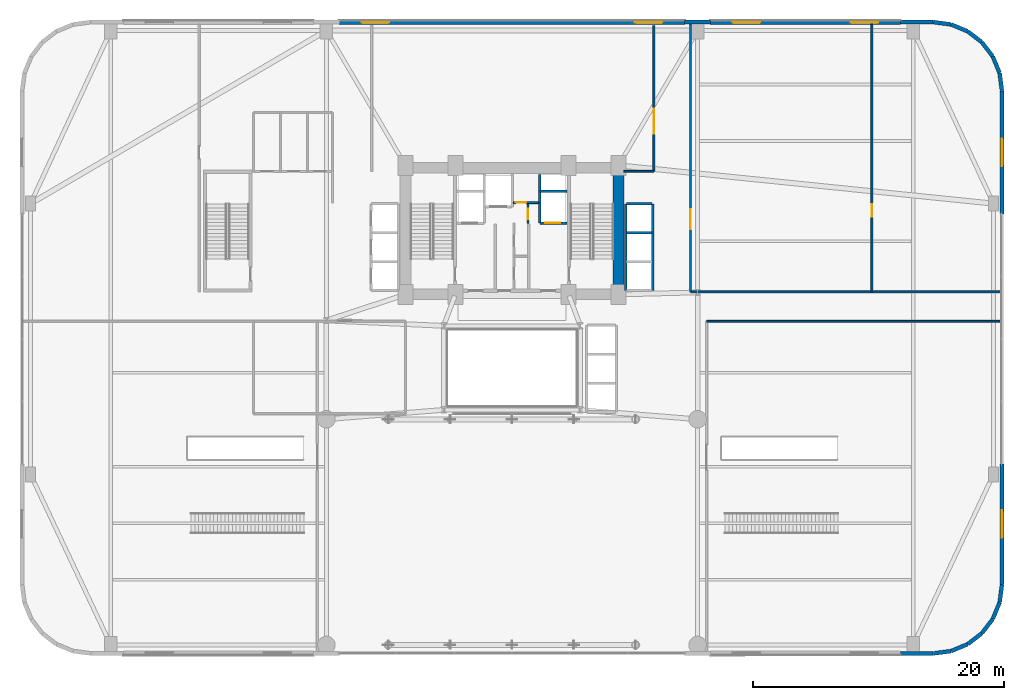
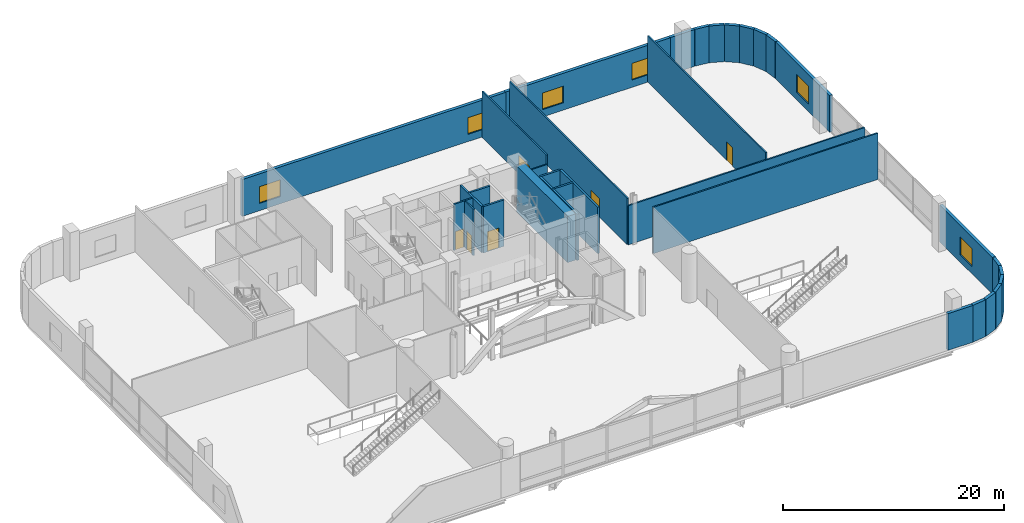
# One storey, part 28 of 36: 35 walls, 6 doors, 6 windows, 12 openings.
"""IFC4 building model written with IfcOpenShell, lengths in metres."""

from ifc_helpers import new_model, si_unit, direction, frame, frame_2d, origin, place, context, subcontext, project, spatial, rectangle, extrude, material, layer, layer_set, type_object, element, fill, save


model = new_model("IFC4")

# Units and contexts
model_context = context("Model", 3, precision=1e-05, world=origin(), true_north=direction((0.0, 1.0)))
body_context = subcontext(model_context, "Body", "Model", "MODEL_VIEW")
ifc_project = project(units=[si_unit("LENGTHUNIT", "METRE"), si_unit("AREAUNIT", "SQUARE_METRE"), si_unit("VOLUMEUNIT", "CUBIC_METRE"), si_unit("PLANEANGLEUNIT", "RADIAN"), si_unit("MASSUNIT", "GRAM", prefix="KILO")], contexts=[model_context])

# Site, building, storey
site_placement = place(None, origin())
site = spatial("IfcSite", under=ifc_project, at=site_placement, CompositionType="ELEMENT")
building_placement = place(site_placement, origin())
building = spatial("IfcBuilding", under=site, at=building_placement, Name="Varnelok Gate Tower", CompositionType="ELEMENT")
storey_placement = place(building_placement, frame((0.0, 0.0, 10.800048828125)))
storey = spatial("IfcBuildingStorey", under=building, at=storey_placement, Name="L02", CompositionType="ELEMENT", Elevation=10.800048828125)

# Wall, openings, windows
ifc_material_1 = material(Name="Concrete C45/55", Category="concrete")
ifc_layer_1 = layer(ifc_material_1, 0.320068359375)
ifc_layer_set_1 = layer_set([ifc_layer_1], Name="Concrete C45/55")
wall_type_1 = type_object("IfcWallType", Name="EW-POD-320", PredefinedType="SOLIDWALL", material=ifc_layer_set_1)
wall_1_placement = place(storey_placement, frame((25.39990234375, 50.43994140625, 0.0), z_axis=(0.0, 0.0, 1.0), x_axis=(1.0, 0.0, 0.0)))
wall_1 = element("IfcWall", 1, at=wall_1_placement, inside=storey, type_object=wall_type_1, Name="L02 North Podium Wall 2", PredefinedType="SOLIDWALL", context=body_context, shape_type="SweptSolid", body=[
    extrude(rectangle(XDim=27.60009765625, YDim=0.320068359375, at=frame_2d((13.800048828125, 0.0))), origin(), (0.0, 0.0, 1.0), 4.070068359375),
])
opening_1_placement = place(wall_1_placement, frame((1.800048828125, 0.0, 0.800048828125)))
opening_1 = element("IfcOpeningElement", 2, at=opening_1_placement, cuts=wall_1, Name="Opening WN2", PredefinedType="OPENING", context=body_context, shape_type="SweptSolid", body=[
    extrude(rectangle(XDim=2.199951171875, YDim=1.85009765625, at=frame_2d((1.10009765625, 0.925048828125))), frame((0.0, 0.169921875, 0.0), z_axis=(0.0, -1.0, 0.0), x_axis=(1.0, 0.0, 0.0)), (0.0, 0.0, 1.0), 0.340087890625),
])
opening_2_placement = place(wall_1_placement, frame((23.60009765625, 0.0, 0.800048828125)))
opening_2 = element("IfcOpeningElement", 3, at=opening_2_placement, cuts=wall_1, Name="Opening WN2", PredefinedType="OPENING", context=body_context, shape_type="SweptSolid", body=[
    extrude(rectangle(XDim=2.199951171875, YDim=1.85009765625, at=frame_2d((1.10009765625, 0.925048828125))), frame((0.0, 0.169921875, 0.0), z_axis=(0.0, -1.0, 0.0), x_axis=(1.0, 0.0, 0.0)), (0.0, 0.0, 1.0), 0.340087890625),
])
ifc_material_2 = material(Name="Low-E Laminated Double Glazing IGU", Category="glass")
window_type_1 = type_object("IfcWindowType", Name="WN-POD-2200", PartitioningType="SINGLE_PANEL", PredefinedType="WINDOW", material=ifc_material_2)
window_1_placement = place(opening_1_placement, origin())
window_1 = element("IfcWindow", 4, at=window_1_placement, inside=storey, type_object=window_type_1, Name="L02 Podium Window N2.1", OverallHeight=1.85009765625, OverallWidth=2.199951171875, PartitioningType="SINGLE_PANEL", PredefinedType="WINDOW", context=body_context, shape_type="SweptSolid", body=[
    extrude(rectangle(XDim=2.199951171875, YDim=1.85009765625, at=frame_2d((1.10009765625, 0.925048828125))), frame((0.0, 0.030029296875, 0.0), z_axis=(0.0, -1.0, 0.0), x_axis=(1.0, 0.0, 0.0)), (0.0, 0.0, 1.0), 0.06005859375),
])
fill(opening_1, window_1)
window_2_placement = place(opening_2_placement, origin())
window_2 = element("IfcWindow", 5, at=window_2_placement, inside=storey, type_object=window_type_1, Name="L02 Podium Window N2.2", OverallHeight=1.85009765625, OverallWidth=2.199951171875, PartitioningType="SINGLE_PANEL", PredefinedType="WINDOW", context=body_context, shape_type="SweptSolid", body=[
    extrude(rectangle(XDim=2.199951171875, YDim=1.85009765625, at=frame_2d((1.10009765625, 0.925048828125))), frame((0.0, 0.030029296875, 0.0), z_axis=(0.0, -1.0, 0.0), x_axis=(1.0, 0.0, 0.0)), (0.0, 0.0, 1.0), 0.06005859375),
])
fill(opening_2, window_2)

wall_2_placement = place(storey_placement, frame((55.0, 50.43994140625, 0.0), z_axis=(0.0, 0.0, 1.0), x_axis=(1.0, 0.0, 0.0)))
wall_2 = element("IfcWall", 6, at=wall_2_placement, inside=storey, type_object=wall_type_1, Name="L02 North Podium Wall 3", PredefinedType="SOLIDWALL", context=body_context, shape_type="SweptSolid", body=[
    extrude(rectangle(XDim=15.199951171875, YDim=0.320068359375, at=frame_2d((7.60009765625, 0.0))), origin(), (0.0, 0.0, 1.0), 4.070068359375),
])
opening_3_placement = place(wall_2_placement, frame((1.800048828125, 0.0, 0.800048828125)))
opening_3 = element("IfcOpeningElement", 7, at=opening_3_placement, cuts=wall_2, Name="Opening WN2", PredefinedType="OPENING", context=body_context, shape_type="SweptSolid", body=[
    extrude(rectangle(XDim=2.199951171875, YDim=1.85009765625, at=frame_2d((1.10009765625, 0.925048828125))), frame((0.0, 0.169921875, 0.0), z_axis=(0.0, -1.0, 0.0), x_axis=(1.0, 0.0, 0.0)), (0.0, 0.0, 1.0), 0.340087890625),
])
opening_4_placement = place(wall_2_placement, frame((11.199951171875, 0.0, 0.800048828125)))
opening_4 = element("IfcOpeningElement", 8, at=opening_4_placement, cuts=wall_2, Name="Opening WN2", PredefinedType="OPENING", context=body_context, shape_type="SweptSolid", body=[
    extrude(rectangle(XDim=2.199951171875, YDim=1.85009765625, at=frame_2d((1.10009765625, 0.925048828125))), frame((0.0, 0.169921875, 0.0), z_axis=(0.0, -1.0, 0.0), x_axis=(1.0, 0.0, 0.0)), (0.0, 0.0, 1.0), 0.340087890625),
])
window_3_placement = place(opening_3_placement, origin())
window_3 = element("IfcWindow", 9, at=window_3_placement, inside=storey, type_object=window_type_1, Name="L02 Podium Window N3.1", OverallHeight=1.85009765625, OverallWidth=2.199951171875, PartitioningType="SINGLE_PANEL", PredefinedType="WINDOW", context=body_context, shape_type="SweptSolid", body=[
    extrude(rectangle(XDim=2.199951171875, YDim=1.85009765625, at=frame_2d((1.10009765625, 0.925048828125))), frame((0.0, 0.030029296875, 0.0), z_axis=(0.0, -1.0, 0.0), x_axis=(1.0, 0.0, 0.0)), (0.0, 0.0, 1.0), 0.06005859375),
])
fill(opening_3, window_3)
window_4_placement = place(opening_4_placement, origin())
window_4 = element("IfcWindow", 10, at=window_4_placement, inside=storey, type_object=window_type_1, Name="L02 Podium Window N3.2", OverallHeight=1.85009765625, OverallWidth=2.199951171875, PartitioningType="SINGLE_PANEL", PredefinedType="WINDOW", context=body_context, shape_type="SweptSolid", body=[
    extrude(rectangle(XDim=2.199951171875, YDim=1.85009765625, at=frame_2d((1.10009765625, 0.925048828125))), frame((0.0, 0.030029296875, 0.0), z_axis=(0.0, -1.0, 0.0), x_axis=(1.0, 0.0, 0.0)), (0.0, 0.0, 1.0), 0.06005859375),
])
fill(opening_4, window_4)

# Walls
wall_3_placement = place(storey_placement, frame((70.169921875, 0.1201171875, 0.0), z_axis=(0.0, 0.0, 1.0), x_axis=(1.0, 0.0, 0.0)))
element("IfcWall", 11, at=wall_3_placement, inside=storey, type_object=wall_type_1, Name="L02 Perimeter Facade Closure Wall 10", PredefinedType="SOLIDWALL", context=body_context, shape_type="SweptSolid", body=[
    extrude(rectangle(XDim=2.6220703125, YDim=0.320068359375, at=frame_2d((1.31103515625, 0.0))), origin(), (0.0, 0.0, 1.0), 4.070068359375),
])
wall_4_placement = place(storey_placement, frame((72.81689453125, 0.123291015625, 0.0), z_axis=(0.0, 0.0, 1.0), x_axis=(0.991457235349, 0.130432168094, 0.0)))
element("IfcWall", 12, at=wall_4_placement, inside=storey, type_object=wall_type_1, Name="L02 Perimeter Facade Closure Wall 11", PredefinedType="SOLIDWALL", context=body_context, shape_type="SweptSolid", body=[
    extrude(rectangle(XDim=1.4130859375, YDim=0.320068359375, at=frame_2d((0.70654296875, 0.0))), origin(), (0.0, 0.0, 1.0), 4.070068359375),
])
for number, where, z_axis, x_axis, name in (
    (13, (74.2412109375, 0.3173828125, 0.0), (0.0, 0.0, 1.0), (0.923927911071, 0.382566615302, 0.0), "L02 Perimeter Facade Closure Wall 12"),
    (14, (75.559326171875, 0.870361328125, 0.0), (0.0, 0.0, 1.0), (0.79338541907, 0.60871962085, 0.0), "L02 Perimeter Facade Closure Wall 13"),
    (15, (76.689453125, 1.74560546875, 0.0), (0.0, 0.0, 1.0), (0.60871962085, 0.79338541907, 0.0), "L02 Perimeter Facade Closure Wall 14"),
    (16, (77.554443359375, 2.883544921875, 0.0), (0.0, 0.0, 1.0), (0.382714908977, 0.923866493844, 0.0), "L02 Perimeter Facade Closure Wall 15"),
):
    element("IfcWall", number, at=place(storey_placement, frame(where, z_axis=z_axis, x_axis=x_axis)), inside=storey, type_object=wall_type_1, Name=name, PredefinedType="SOLIDWALL", context=body_context, shape_type="SweptSolid", body=[
        extrude(rectangle(XDim=1.4052734375, YDim=0.320068359375, at=frame_2d((0.70263671875, 0.0))), origin(), (0.0, 0.0, 1.0), 4.070068359375),
    ])
wall_5_placement = place(storey_placement, frame((78.095703125, 4.206787109375, 0.0), z_axis=(0.0, 0.0, 1.0), x_axis=(0.130432168094, 0.991457235349, 0.0)))
element("IfcWall", 17, at=wall_5_placement, inside=storey, type_object=wall_type_1, Name="L02 Perimeter Facade Closure Wall 16", PredefinedType="SOLIDWALL", context=body_context, shape_type="SweptSolid", body=[
    extrude(rectangle(XDim=1.4130859375, YDim=0.320068359375, at=frame_2d((0.70654296875, 0.0))), origin(), (0.0, 0.0, 1.0), 4.070068359375),
])

# Wall, opening, window
wall_6_placement = place(storey_placement, frame((78.280029296875, 5.6328125, 0.0), z_axis=(0.0, 0.0, 1.0), x_axis=(0.0, 1.0, 0.0)))
wall_6 = element("IfcWall", 18, at=wall_6_placement, inside=storey, type_object=wall_type_1, Name="L02 Perimeter Facade Closure Wall 17", PredefinedType="SOLIDWALL", context=body_context, shape_type="SweptSolid", body=[
    extrude(rectangle(XDim=9.59716796875, YDim=0.320068359375, at=frame_2d((4.798583984375, 0.0))), origin(), (0.0, 0.0, 1.0), 4.070068359375),
])
opening_5_placement = place(wall_6_placement, frame((3.698486328125, 0.0, 0.800048828125)))
opening_5 = element("IfcOpeningElement", 19, at=opening_5_placement, cuts=wall_6, Name="Opening WN2A", PredefinedType="OPENING", context=body_context, shape_type="SweptSolid", body=[
    extrude(rectangle(XDim=2.199951171875, YDim=2.0, at=frame_2d((1.10009765625, 1.0))), frame((0.0, 0.169921875, 0.0), z_axis=(0.0, -1.0, 0.0), x_axis=(1.0, 0.0, 0.0)), (0.0, 0.0, 1.0), 0.340087890625),
])
window_type_2 = type_object("IfcWindowType", Name="WN-POD-2200X2000", PartitioningType="SINGLE_PANEL", PredefinedType="WINDOW", material=ifc_material_2)
window_5_placement = place(opening_5_placement, origin())
window_5 = element("IfcWindow", 20, at=window_5_placement, inside=storey, type_object=window_type_2, Name="L02 Perimeter Vision Window 17", OverallHeight=2.0, OverallWidth=2.199951171875, PartitioningType="SINGLE_PANEL", PredefinedType="WINDOW", context=body_context, shape_type="SweptSolid", body=[
    extrude(rectangle(XDim=2.199951171875, YDim=2.0, at=frame_2d((1.10009765625, 1.0))), frame((0.0, 0.030029296875, 0.0), z_axis=(0.0, -1.0, 0.0), x_axis=(1.0, 0.0, 0.0)), (0.0, 0.0, 1.0), 0.06005859375),
])
fill(opening_5, window_5)

wall_7_placement = place(storey_placement, frame((78.280029296875, 35.169921875, 0.0), z_axis=(0.0, 0.0, 1.0), x_axis=(0.0, 1.0, 0.0)))
wall_7 = element("IfcWall", 21, at=wall_7_placement, inside=storey, type_object=wall_type_1, Name="L02 Perimeter Facade Closure Wall 18", PredefinedType="SOLIDWALL", context=body_context, shape_type="SweptSolid", body=[
    extrude(rectangle(XDim=9.822265625, YDim=0.320068359375, at=frame_2d((4.9111328125, 0.0))), origin(), (0.0, 0.0, 1.0), 4.070068359375),
])
opening_6_placement = place(wall_7_placement, frame((3.81103515625, 0.0, 0.800048828125)))
opening_6 = element("IfcOpeningElement", 22, at=opening_6_placement, cuts=wall_7, Name="Opening WN2A", PredefinedType="OPENING", context=body_context, shape_type="SweptSolid", body=[
    extrude(rectangle(XDim=2.199951171875, YDim=2.0, at=frame_2d((1.10009765625, 1.0))), frame((0.0, 0.169921875, 0.0), z_axis=(0.0, -1.0, 0.0), x_axis=(1.0, 0.0, 0.0)), (0.0, 0.0, 1.0), 0.340087890625),
])
window_6_placement = place(opening_6_placement, origin())
window_6 = element("IfcWindow", 23, at=window_6_placement, inside=storey, type_object=window_type_2, Name="L02 Perimeter Vision Window 18", OverallHeight=2.0, OverallWidth=2.199951171875, PartitioningType="SINGLE_PANEL", PredefinedType="WINDOW", context=body_context, shape_type="SweptSolid", body=[
    extrude(rectangle(XDim=2.199951171875, YDim=2.0, at=frame_2d((1.10009765625, 1.0))), frame((0.0, 0.030029296875, 0.0), z_axis=(0.0, -1.0, 0.0), x_axis=(1.0, 0.0, 0.0)), (0.0, 0.0, 1.0), 0.06005859375),
])
fill(opening_6, window_6)

# Walls
wall_8_placement = place(storey_placement, frame((78.276611328125, 45.016845703125, 0.0), z_axis=(0.0, 0.0, 1.0), x_axis=(-0.130409831203, 0.991460173646, 0.0)))
element("IfcWall", 24, at=wall_8_placement, inside=storey, type_object=wall_type_1, Name="L02 Perimeter Facade Closure Wall 19", PredefinedType="SOLIDWALL", context=body_context, shape_type="SweptSolid", body=[
    extrude(rectangle(XDim=1.413330078125, YDim=0.320068359375, at=frame_2d((0.70654296875, 0.0))), origin(), (0.0, 0.0, 1.0), 4.070068359375),
])
for number, where, z_axis, x_axis, name in (
    (25, (78.082763671875, 46.441162109375, 0.0), (0.0, 0.0, 1.0), (-0.382714908977, 0.923866493844, 0.0), "L02 Perimeter Facade Closure Wall 20"),
    (26, (77.52978515625, 47.75927734375, 0.0), (0.0, 0.0, 1.0), (-0.60871962085, 0.79338541907, 0.0), "L02 Perimeter Facade Closure Wall 21"),
    (27, (76.654296875, 48.889404296875, 0.0), (0.0, 0.0, 1.0), (-0.793321035123, 0.608803527611, 0.0), "L02 Perimeter Facade Closure Wall 22"),
    (28, (75.516357421875, 49.75439453125, 0.0), (0.0, 0.0, 1.0), (-0.923866493844, 0.382714908977, 0.0), "L02 Perimeter Facade Closure Wall 23"),
):
    element("IfcWall", number, at=place(storey_placement, frame(where, z_axis=z_axis, x_axis=x_axis)), inside=storey, type_object=wall_type_1, Name=name, PredefinedType="SOLIDWALL", context=body_context, shape_type="SweptSolid", body=[
        extrude(rectangle(XDim=1.4052734375, YDim=0.320068359375, at=frame_2d((0.70263671875, 0.0))), origin(), (0.0, 0.0, 1.0), 4.070068359375),
    ])
wall_9_placement = place(storey_placement, frame((74.193359375, 50.295654296875, 0.0), z_axis=(0.0, 0.0, 1.0), x_axis=(-0.991460173646, 0.130409831203, 0.0)))
element("IfcWall", 29, at=wall_9_placement, inside=storey, type_object=wall_type_1, Name="L02 Perimeter Facade Closure Wall 24", PredefinedType="SOLIDWALL", context=body_context, shape_type="SweptSolid", body=[
    extrude(rectangle(XDim=1.413330078125, YDim=0.320068359375, at=frame_2d((0.70654296875, 0.0))), origin(), (0.0, 0.0, 1.0), 4.070068359375),
])
wall_10_placement = place(storey_placement, frame((72.76708984375, 50.47998046875, 0.0), z_axis=(0.0, 0.0, 1.0), x_axis=(-1.0, 0.0, 0.0)))
element("IfcWall", 30, at=wall_10_placement, inside=storey, type_object=wall_type_1, Name="L02 Perimeter Facade Closure Wall 25", PredefinedType="SOLIDWALL", context=body_context, shape_type="SweptSolid", body=[
    extrude(rectangle(XDim=2.59716796875, YDim=0.320068359375, at=frame_2d((1.298583984375, 0.0))), origin(), (0.0, 0.0, 1.0), 4.070068359375),
])
wall_11_placement = place(storey_placement, frame((55.030029296875, 50.47998046875, 0.0), z_axis=(0.0, 0.0, 1.0), x_axis=(-1.0, 0.0, 0.0)))
element("IfcWall", 31, at=wall_11_placement, inside=storey, type_object=wall_type_1, Name="L02 Perimeter Facade Closure Wall 26", PredefinedType="SOLIDWALL", context=body_context, shape_type="SweptSolid", body=[
    extrude(rectangle(XDim=2.06005859375, YDim=0.320068359375, at=frame_2d((1.030029296875, 0.0))), origin(), (0.0, 0.0, 1.0), 4.070068359375),
])
ifc_material_3 = material(Name="Gypsum Plasterboard Acoustic Partition", Category="gypsum")
ifc_layer_2 = layer(ifc_material_3, 0.14990234375)
ifc_layer_set_2 = layer_set([ifc_layer_2], Name="Gypsum Plasterboard Acoustic Partition")
wall_type_2 = type_object("IfcWallType", Name="PW-PART-150", PredefinedType="PARTITIONING", material=ifc_layer_set_2)
wall_12_placement = place(storey_placement, frame((48.1201171875, 38.580078125, 0.0), z_axis=(0.0, 0.0, 1.0), x_axis=(1.0, 0.0, 0.0)))
element("IfcWall", 32, at=wall_12_placement, inside=storey, type_object=wall_type_2, Name="Interior Partition", PredefinedType="PARTITIONING", context=body_context, shape_type="SweptSolid", body=[
    extrude(rectangle(XDim=2.39990234375, YDim=0.14990234375, at=frame_2d((1.199951171875, 0.0))), origin(), (0.0, 0.0, 1.0), 4.0849609375),
])

# Wall, opening, door
wall_13_placement = place(storey_placement, frame((50.52001953125, 38.580078125, 0.0), z_axis=(0.0, 0.0, 1.0), x_axis=(0.0, 1.0, 0.0)))
wall_13 = element("IfcWall", 33, at=wall_13_placement, inside=storey, type_object=wall_type_2, Name="Interior Partition", PredefinedType="PARTITIONING", context=body_context, shape_type="SweptSolid", body=[
    extrude(rectangle(XDim=11.619873046875, YDim=0.14990234375, at=frame_2d((5.81005859375, 0.0))), origin(), (0.0, 0.0, 1.0), 5.119873046875),
])
opening_7_placement = place(wall_13_placement, frame((3.0, 0.0, 0.0)))
opening_7 = element("IfcOpeningElement", 34, at=opening_7_placement, cuts=wall_13, Name="Opening D-BL", PredefinedType="OPENING", context=body_context, shape_type="SweptSolid", body=[
    extrude(rectangle(XDim=2.0, YDim=2.050048828125, at=frame_2d((1.0, 1.02490234375))), frame((0.0, 0.0849609375, 0.0), z_axis=(0.0, -1.0, 0.0), x_axis=(1.0, 0.0, 0.0)), (0.0, 0.0, 1.0), 0.169921875),
])
ifc_material_4 = material(Name="Engineered Hardwood Timber", Category="wood")
door_type_1 = type_object("IfcDoorType", Name="DR-BALL-2000", OperationType="DOUBLE_DOOR_SINGLE_SWING", PredefinedType="DOOR", material=ifc_material_4)
door_1_placement = place(opening_7_placement, origin())
door_1 = element("IfcDoor", 35, at=door_1_placement, inside=storey, type_object=door_type_1, Name="L02 North Exhibition Portal", OperationType="DOUBLE_DOOR_SINGLE_SWING", OverallHeight=2.050048828125, OverallWidth=2.0, PredefinedType="DOOR", context=body_context, shape_type="SweptSolid", body=[
    extrude(rectangle(XDim=2.0, YDim=2.050048828125, at=frame_2d((1.0, 1.02490234375))), frame((0.0, 0.02490234375, 0.0), z_axis=(0.0, -1.0, 0.0), x_axis=(1.0, 0.0, 0.0)), (0.0, 0.0, 1.0), 0.050048828125),
])
fill(opening_7, door_1)

# Wall
wall_14_placement = place(storey_placement, frame((54.719970703125, 26.6201171875, 0.0), z_axis=(0.0, 0.0, 1.0), x_axis=(1.0, 0.0, 0.0)))
element("IfcWall", 36, at=wall_14_placement, inside=storey, type_object=wall_type_2, Name="Interior Partition", PredefinedType="PARTITIONING", context=body_context, shape_type="SweptSolid", body=[
    extrude(rectangle(XDim=23.47998046875, YDim=0.14990234375, at=frame_2d((11.739990234375, 0.0))), origin(), (0.0, 0.0, 1.0), 5.119873046875),
])

# Wall, opening, door
wall_15_placement = place(storey_placement, frame((53.43994140625, 28.9599609375, 0.0), z_axis=(0.0, 0.0, 1.0), x_axis=(0.0, 1.0, 0.0)))
wall_15 = element("IfcWall", 37, at=wall_15_placement, inside=storey, type_object=wall_type_2, Name="Interior Partition", PredefinedType="PARTITIONING", context=body_context, shape_type="SweptSolid", body=[
    extrude(rectangle(XDim=21.340087890625, YDim=0.14990234375, at=frame_2d((10.669921875, 0.0))), origin(), (0.0, 0.0, 1.0), 5.119873046875),
])
opening_8_placement = place(wall_15_placement, frame((5.0, 0.0, 0.0)))
opening_8 = element("IfcOpeningElement", 38, at=opening_8_placement, cuts=wall_15, Name="Opening D-PL", PredefinedType="OPENING", context=body_context, shape_type="SweptSolid", body=[
    extrude(rectangle(XDim=1.60009765625, YDim=2.050048828125, at=frame_2d((0.800048828125, 1.02490234375))), frame((0.0, 0.0849609375, 0.0), z_axis=(0.0, -1.0, 0.0), x_axis=(1.0, 0.0, 0.0)), (0.0, 0.0, 1.0), 0.169921875),
])
ifc_material_5 = material(Name="Galvanized Steel Grade S350GD", Category="steel")
door_type_2 = type_object("IfcDoorType", Name="DR-PLANT-1600", OperationType="DOUBLE_DOOR_SINGLE_SWING", PredefinedType="DOOR", material=ifc_material_5)
door_2_placement = place(opening_8_placement, origin())
door_2 = element("IfcDoor", 39, at=door_2_placement, inside=storey, type_object=door_type_2, Name="L02 Restaurant Kitchen Door", OperationType="DOUBLE_DOOR_SINGLE_SWING", OverallHeight=2.050048828125, OverallWidth=1.60009765625, PredefinedType="DOOR", context=body_context, shape_type="SweptSolid", body=[
    extrude(rectangle(XDim=1.60009765625, YDim=2.050048828125, at=frame_2d((0.800048828125, 1.02490234375))), frame((0.0, 0.02490234375, 0.0), z_axis=(0.0, -1.0, 0.0), x_axis=(1.0, 0.0, 0.0)), (0.0, 0.0, 1.0), 0.050048828125),
])
fill(opening_8, door_2)

wall_16_placement = place(storey_placement, frame((67.89990234375, 28.9599609375, 0.0), z_axis=(0.0, 0.0, 1.0), x_axis=(0.0, 1.0, 0.0)))
wall_16 = element("IfcWall", 40, at=wall_16_placement, inside=storey, type_object=wall_type_2, Name="Interior Partition", PredefinedType="PARTITIONING", context=body_context, shape_type="SweptSolid", body=[
    extrude(rectangle(XDim=21.340087890625, YDim=0.14990234375, at=frame_2d((10.669921875, 0.0))), origin(), (0.0, 0.0, 1.0), 5.119873046875),
])
opening_9_placement = place(wall_16_placement, frame((6.0, 0.0, 0.0)))
opening_9 = element("IfcOpeningElement", 41, at=opening_9_placement, cuts=wall_16, Name="Opening D-I1", PredefinedType="OPENING", context=body_context, shape_type="SweptSolid", body=[
    extrude(rectangle(XDim=1.0, YDim=2.050048828125, at=frame_2d((0.5, 1.02490234375))), frame((0.0, 0.0849609375, 0.0), z_axis=(0.0, -1.0, 0.0), x_axis=(1.0, 0.0, 0.0)), (0.0, 0.0, 1.0), 0.169921875),
])
door_type_3 = type_object("IfcDoorType", Name="DR-INT-1000", OperationType="NOTDEFINED", PredefinedType="DOOR", material=ifc_material_4)
door_3_placement = place(opening_9_placement, origin())
door_3 = element("IfcDoor", 42, at=door_3_placement, inside=storey, type_object=door_type_3, Name="L02 Wine Cellar Door", OperationType="SINGLE_SWING_LEFT", OverallHeight=2.050048828125, OverallWidth=1.0, PredefinedType="DOOR", context=body_context, shape_type="SweptSolid", body=[
    extrude(rectangle(XDim=1.0, YDim=2.050048828125, at=frame_2d((0.5, 1.02490234375))), frame((0.0, 0.02490234375, 0.0), z_axis=(0.0, -1.0, 0.0), x_axis=(1.0, 0.0, 0.0)), (0.0, 0.0, 1.0), 0.050048828125),
])
fill(opening_9, door_3)

# Wall
wall_17_placement = place(storey_placement, frame((53.43994140625, 28.9599609375, 0.0), z_axis=(0.0, 0.0, 1.0), x_axis=(1.0, 0.0, 0.0)))
element("IfcWall", 43, at=wall_17_placement, inside=storey, type_object=wall_type_2, Name="Interior Partition", PredefinedType="PARTITIONING", context=body_context, shape_type="SweptSolid", body=[
    extrude(rectangle(XDim=24.760009765625, YDim=0.14990234375, at=frame_2d((12.3798828125, 0.0))), origin(), (0.0, 0.0, 1.0), 4.33203125),
])

# Wall, opening, door
wall_18_placement = place(storey_placement, frame((39.300048828125, 36.080078125, 0.0), z_axis=(0.0, 0.0, 1.0), x_axis=(1.0, 0.0, 0.0)))
wall_18 = element("IfcWall", 44, at=wall_18_placement, inside=storey, type_object=wall_type_2, Name="L02 Electrical Closet South Wall", PredefinedType="PARTITIONING", context=body_context, shape_type="SweptSolid", body=[
    extrude(rectangle(XDim=2.02001953125, YDim=0.14990234375, at=frame_2d((1.010009765625, 0.0))), origin(), (0.0, 0.0, 1.0), 5.119873046875),
])
opening_10_placement = place(wall_18_placement, frame((0.179931640625, 0.0, 0.0)))
opening_10 = element("IfcOpeningElement", 45, at=opening_10_placement, cuts=wall_18, Name="Opening D-RS", PredefinedType="OPENING", context=body_context, shape_type="SweptSolid", body=[
    extrude(rectangle(XDim=0.85009765625, YDim=2.050048828125, at=frame_2d((0.425048828125, 1.02490234375))), frame((0.0, 0.0849609375, 0.0), z_axis=(0.0, -1.0, 0.0), x_axis=(1.0, 0.0, 0.0)), (0.0, 0.0, 1.0), 0.169921875),
])
door_type_4 = type_object("IfcDoorType", Name="DR-RISER-850", OperationType="NOTDEFINED", PredefinedType="DOOR", material=ifc_material_5)
door_4_placement = place(opening_10_placement, origin())
door_4 = element("IfcDoor", 46, at=door_4_placement, inside=storey, type_object=door_type_4, Name="L02 Electrical Closet Door", OperationType="SINGLE_SWING_RIGHT", OverallHeight=2.050048828125, OverallWidth=0.85009765625, PredefinedType="DOOR", context=body_context, shape_type="SweptSolid", body=[
    extrude(rectangle(XDim=0.85009765625, YDim=2.050048828125, at=frame_2d((0.425048828125, 1.02490234375))), frame((0.0, 0.02490234375, 0.0), z_axis=(0.0, -1.0, 0.0), x_axis=(1.0, 0.0, 0.0)), (0.0, 0.0, 1.0), 0.050048828125),
])
fill(opening_10, door_4)

wall_19_placement = place(storey_placement, frame((40.47998046875, 34.43994140625, 0.0), z_axis=(0.0, 0.0, 1.0), x_axis=(0.0, 1.0, 0.0)))
wall_19 = element("IfcWall", 47, at=wall_19_placement, inside=storey, type_object=wall_type_2, Name="L02 Telecoms Closet West Wall", PredefinedType="PARTITIONING", context=body_context, shape_type="SweptSolid", body=[
    extrude(rectangle(XDim=1.52001953125, YDim=0.14990234375, at=frame_2d((0.760009765625, 0.0))), origin(), (0.0, 0.0, 1.0), 5.119873046875),
])
opening_11_placement = place(wall_19_placement, frame((0.320068359375, 0.0, 0.0)))
opening_11 = element("IfcOpeningElement", 48, at=opening_11_placement, cuts=wall_19, Name="Opening D-RS", PredefinedType="OPENING", context=body_context, shape_type="SweptSolid", body=[
    extrude(rectangle(XDim=0.85009765625, YDim=2.050048828125, at=frame_2d((0.425048828125, 1.02490234375))), frame((0.0, 0.0849609375, 0.0), z_axis=(0.0, -1.0, 0.0), x_axis=(1.0, 0.0, 0.0)), (0.0, 0.0, 1.0), 0.169921875),
])
door_5_placement = place(opening_11_placement, origin())
door_5 = element("IfcDoor", 49, at=door_5_placement, inside=storey, type_object=door_type_4, Name="L02 Telecoms Closet Door", OperationType="SINGLE_SWING_LEFT", OverallHeight=2.050048828125, OverallWidth=0.85009765625, PredefinedType="DOOR", context=body_context, shape_type="SweptSolid", body=[
    extrude(rectangle(XDim=0.85009765625, YDim=2.050048828125, at=frame_2d((0.425048828125, 1.02490234375))), frame((0.0, 0.02490234375, 0.0), z_axis=(0.0, -1.0, 0.0), x_axis=(1.0, 0.0, 0.0)), (0.0, 0.0, 1.0), 0.050048828125),
])
fill(opening_11, door_5)

ifc_material_6 = material(Name="Concrete C35/45", Category="concrete")
ifc_layer_3 = layer(ifc_material_6, 0.199951171875)
ifc_layer_set_3 = layer_set([ifc_layer_3], Name="Concrete C35/45")
wall_type_3 = type_object("IfcWallType", Name="PW-SHAFT-200", PredefinedType="PARTITIONING", material=ifc_layer_set_3)
wall_20_placement = place(storey_placement, frame((41.419921875, 34.43994140625, 0.0), z_axis=(0.0, 0.0, 1.0), x_axis=(1.0, 0.0, 0.0)))
wall_20 = element("IfcWall", 50, at=wall_20_placement, inside=storey, type_object=wall_type_3, Name="L02 FF2 Shaft Front Wall", PredefinedType="PARTITIONING", context=body_context, shape_type="SweptSolid", body=[
    extrude(rectangle(XDim=2.18017578125, YDim=0.199951171875, at=frame_2d((1.090087890625, 0.0))), origin(), (0.0, 0.0, 1.0), 5.119873046875),
])
opening_12_placement = place(wall_20_placement, frame((0.419921875, 0.0, 0.0)))
opening_12 = element("IfcOpeningElement", 51, at=opening_12_placement, cuts=wall_20, Name="Opening LD-FF2", PredefinedType="OPENING", context=body_context, shape_type="SweptSolid", body=[
    extrude(rectangle(XDim=1.199951171875, YDim=2.199951171875, at=frame_2d((0.60009765625, 1.10009765625))), frame((0.0, 0.10986328125, 0.0), z_axis=(0.0, -1.0, 0.0), x_axis=(1.0, 0.0, 0.0)), (0.0, 0.0, 1.0), 0.219970703125),
])
door_type_5 = type_object("IfcDoorType", Name="DR-LIFT-FF1200", OperationType="SLIDING_TO_LEFT", PredefinedType="DOOR", material=ifc_material_5)
door_6_placement = place(opening_12_placement, origin())
door_6 = element("IfcDoor", 52, at=door_6_placement, inside=storey, type_object=door_type_5, Name="L02 Firefighting Lift Landing Door LD-FF2", OperationType="SLIDING_TO_LEFT", OverallHeight=2.199951171875, OverallWidth=1.199951171875, PredefinedType="DOOR", context=body_context, shape_type="SweptSolid", body=[
    extrude(rectangle(XDim=1.199951171875, YDim=2.199951171875, at=frame_2d((0.60009765625, 1.10009765625))), frame((0.0, 0.02490234375, 0.0), z_axis=(0.0, -1.0, 0.0), x_axis=(1.0, 0.0, 0.0)), (0.0, 0.0, 1.0), 0.050048828125),
])
fill(opening_12, door_6)

# Walls
wall_21_placement = place(storey_placement, frame((41.419921875, 36.97998046875, 0.0), z_axis=(0.0, 0.0, 1.0), x_axis=(1.0, 0.0, 0.0)))
element("IfcWall", 53, at=wall_21_placement, inside=storey, type_object=wall_type_3, Name="L02 FF2 Shaft North Wall", PredefinedType="PARTITIONING", context=body_context, shape_type="SweptSolid", body=[
    extrude(rectangle(XDim=2.18017578125, YDim=0.199951171875, at=frame_2d((1.090087890625, 0.0))), origin(), (0.0, 0.0, 1.0), 5.119873046875),
])
wall_22_placement = place(storey_placement, frame((41.39990234375, 34.43994140625, 0.0), z_axis=(0.0, 0.0, 1.0), x_axis=(0.0, 1.0, 0.0)))
element("IfcWall", 54, at=wall_22_placement, inside=storey, type_object=wall_type_3, Name="L02 FF2 Shaft Side Wall", PredefinedType="PARTITIONING", context=body_context, shape_type="SweptSolid", body=[
    extrude(rectangle(XDim=3.900146484375, YDim=0.199951171875, at=frame_2d((1.9501953125, 0.0))), origin(), (0.0, 0.0, 1.0), 5.119873046875),
])
for number, where, z_axis, x_axis, name in (
    (55, (48.320068359375, 33.675048828125, 0.0), (0.0, 0.0, 1.0), (1.0, 0.0, 0.0), "L02 PM2 Divider"),
    (56, (48.320068359375, 35.969970703125, 0.0), (0.0, 0.0, 1.0), (1.0, 0.0, 0.0), "L02 PM Bank North Wall"),
):
    element("IfcWall", number, at=place(storey_placement, frame(where, z_axis=z_axis, x_axis=x_axis)), inside=storey, type_object=wall_type_3, Name=name, PredefinedType="PARTITIONING", context=body_context, shape_type="SweptSolid", body=[
        extrude(rectangle(XDim=2.059814453125, YDim=0.199951171875, at=frame_2d((1.02978515625, 0.0))), origin(), (0.0, 0.0, 1.0), 5.119873046875),
    ])
for number, where, z_axis, x_axis, name in (
    (57, (48.280029296875, 29.080078125, 0.0), (0.0, 0.0, 1.0), (0.0, 1.0, 0.0), "L02 PM Bank Back Wall"),
    (58, (50.43994140625, 29.080078125, 0.0), (0.0, 0.0, 1.0), (0.0, 1.0, 0.0), "L02 PM Bank Front Wall"),
):
    element("IfcWall", number, at=place(storey_placement, frame(where, z_axis=z_axis, x_axis=x_axis)), inside=storey, type_object=wall_type_3, Name=name, PredefinedType="PARTITIONING", context=body_context, shape_type="SweptSolid", body=[
        extrude(rectangle(XDim=6.889892578125, YDim=0.199951171875, at=frame_2d((3.44482421875, 0.0))), origin(), (0.0, 0.0, 1.0), 5.119873046875),
    ])
ifc_material_7 = material(Name="Concrete C70/85", Category="concrete")
ifc_layer_4 = layer(ifc_material_7, 0.85009765625)
ifc_layer_set_4 = layer_set([ifc_layer_4], Name="Concrete C70/85")
wall_type_4 = type_object("IfcWallType", Name="SW-CORE-850", PredefinedType="SHEAR", material=ifc_layer_set_4)
wall_23_placement = place(storey_placement, frame((47.695068359375, 29.199951171875, 0.0), z_axis=(0.0, 0.0, 1.0), x_axis=(0.0, 1.0, 0.0)))
element("IfcWall", 59, at=wall_23_placement, inside=storey, type_object=wall_type_4, Name="L02 Rear Core East Shear Wall", PredefinedType="SHEAR", context=body_context, shape_type="SweptSolid", body=[
    extrude(rectangle(XDim=9.219970703125, YDim=0.85009765625, at=frame_2d((4.60986328125, 0.0))), origin(), (0.0, 0.0, 1.0), 5.119873046875),
])

save(model, "model.ifc")
